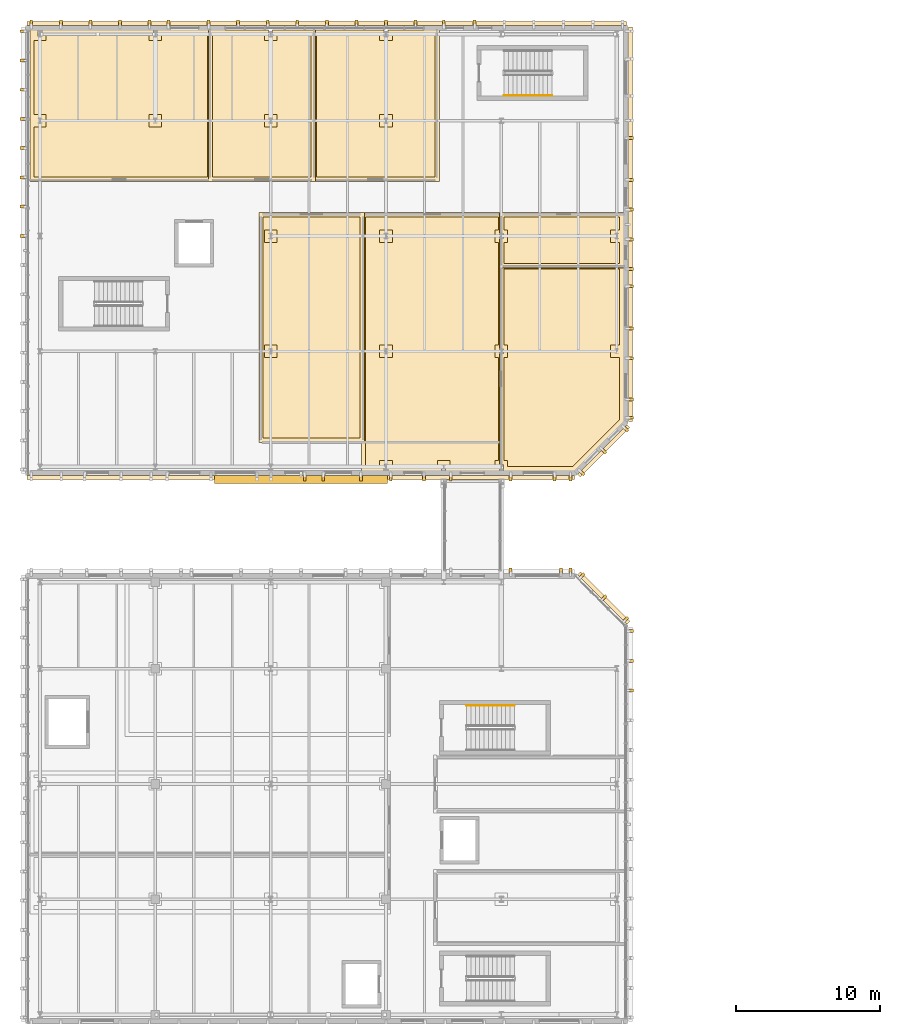
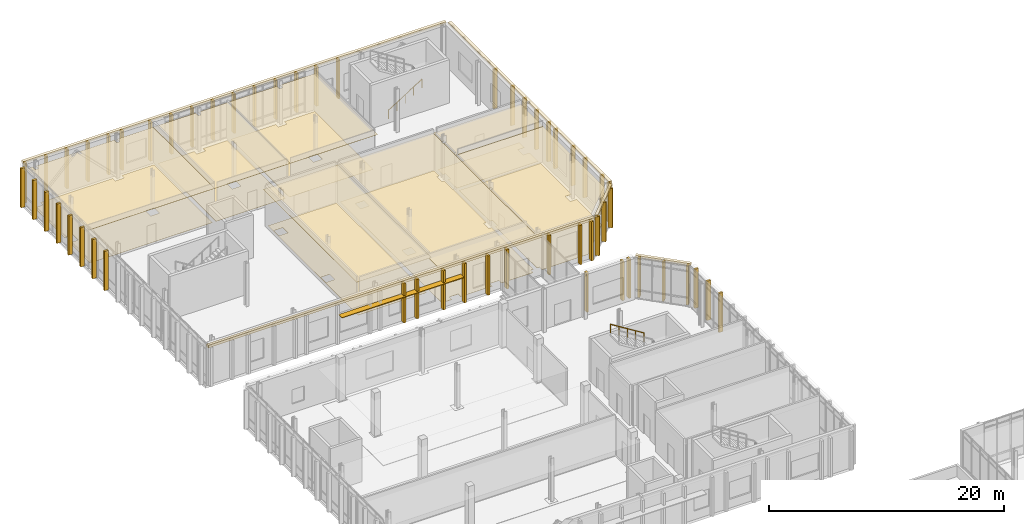
# One storey, part 81 of 86: 74 coverings, 2 railings, 1 shading device.
"""IFC4 building model written with IfcOpenShell, lengths in metres."""

from ifc_helpers import new_model, si_unit, direction, frame, origin, origin_2d, place, context, subcontext, project, spatial, polyline, rectangle, circle, outline, extrude, material, layer, layer_set, type_object, element, save


model = new_model("IFC4")

# Units and contexts
model_context = context("Model", 3, precision=1e-05, world=origin(), true_north=direction((0.0, 1.0)))
body_context = subcontext(model_context, "Body", "Model", "MODEL_VIEW")
ifc_project = project(units=[si_unit("LENGTHUNIT", "METRE"), si_unit("AREAUNIT", "SQUARE_METRE"), si_unit("VOLUMEUNIT", "CUBIC_METRE"), si_unit("PLANEANGLEUNIT", "RADIAN"), si_unit("MASSUNIT", "GRAM", prefix="KILO")], contexts=[model_context])

# Site, building, storey
site_placement = place(None, origin())
site = spatial("IfcSite", under=ifc_project, at=site_placement, CompositionType="ELEMENT")
building_placement = place(site_placement, origin())
building = spatial("IfcBuilding", under=site, at=building_placement, Name="Cymarion Research Institute", CompositionType="ELEMENT")
storey_placement = place(building_placement, frame((0.0, 0.0, 13.800048828125)))
storey = spatial("IfcBuildingStorey", under=building, at=storey_placement, Name="L03", CompositionType="ELEMENT", Elevation=13.800048828125)

# Coverings
ifc_material_1 = material(Name="Micro-perforated mineral acoustic ceiling tile", Category="gypsum")
ifc_layer_1 = layer(ifc_material_1, 0.030029296875)
ifc_layer_set_1 = layer_set([ifc_layer_1], Name="Micro-perforated mineral acoustic ceiling tile")
covering_type_1 = type_object("IfcCoveringType", Name="ACOUSTIC MICRO-PERFORATED SUSPENDED CEILING CLG-01", PredefinedType="CEILING", material=ifc_layer_set_1)
covering_1_placement = place(storey_placement, frame((0.0, 0.0, 3.699951171875)))
element("IfcCovering", 1, at=covering_1_placement, inside=storey, type_object=covering_type_1, Name="L03 L03 Climate & Earth-System Dry Modelling Laboratory acoustic ceiling", PredefinedType="CEILING", context=body_context, shape_type="SweptSolid", body=[
    extrude(outline(polyline([(29.114990234375, 103.114990234375), (29.114990234375, 87.18505859375), (21.784912109375, 87.18505859375), (21.784912109375, 103.114990234375), (29.114990234375, 103.114990234375)])), origin(), (0.0, 0.0, 1.0), 0.030029296875),
])
covering_2_placement = place(storey_placement, frame((0.0, 0.0, 3.699951171875)))
element("IfcCovering", 2, at=covering_2_placement, inside=storey, type_object=covering_type_1, Name="L03 L03 High-Performance Computing & Cryo-Data Room acoustic ceiling", PredefinedType="CEILING", context=body_context, shape_type="SweptSolid", body=[
    extrude(outline(polyline([(38.715087890625, 101.635009765625), (38.465087890625, 101.635009765625), (38.465087890625, 101.364990234375), (38.715087890625, 101.364990234375), (38.715087890625, 93.635009765625), (38.465087890625, 93.635009765625), (38.465087890625, 93.364990234375), (38.715087890625, 93.364990234375), (38.715087890625, 85.635009765625), (38.465087890625, 85.635009765625), (38.465087890625, 85.205078125), (34.735107421875, 85.205078125), (34.735107421875, 85.635009765625), (34.465087890625, 85.635009765625), (34.465087890625, 85.205078125), (30.735107421875, 85.205078125), (30.735107421875, 85.635009765625), (30.465087890625, 85.635009765625), (30.465087890625, 85.205078125), (28.885009765625, 85.205078125), (28.885009765625, 103.114990234375), (38.715087890625, 103.114990234375), (38.715087890625, 101.635009765625)])), origin(), (0.0, 0.0, 1.0), 0.030029296875),
])
covering_3_placement = place(storey_placement, frame((0.0, 0.0, 3.699951171875)))
element("IfcCovering", 3, at=covering_3_placement, inside=storey, type_object=covering_type_1, Name="L03 L03 Cryo-Data Cold Tape & UPS Equipment Room acoustic ceiling", PredefinedType="CEILING", context=body_context, shape_type="SweptSolid", body=[
    extrude(outline(polyline([(47.094970703125, 88.626220703125), (43.673583984375, 85.205078125), (38.735107421875, 85.205078125), (38.735107421875, 85.635009765625), (38.485107421875, 85.635009765625), (38.485107421875, 93.364990234375), (38.735107421875, 93.364990234375), (38.735107421875, 93.635009765625), (38.485107421875, 93.635009765625), (38.485107421875, 99.514892578125), (47.094970703125, 99.514892578125), (47.094970703125, 88.626220703125)])), origin(), (0.0, 0.0, 1.0), 0.030029296875),
])
covering_4_placement = place(storey_placement, frame((0.0, 0.0, 3.699951171875)))
element("IfcCovering", 4, at=covering_4_placement, inside=storey, type_object=covering_type_1, Name="L03 L03 Computational Wing Accessible WC acoustic ceiling", PredefinedType="CEILING", context=body_context, shape_type="SweptSolid", body=[
    extrude(outline(polyline([(38.735107421875, 101.364990234375), (38.735107421875, 101.635009765625), (38.485107421875, 101.635009765625), (38.485107421875, 103.114990234375), (47.094970703125, 103.114990234375), (47.094970703125, 99.284912109375), (38.485107421875, 99.284912109375), (38.485107421875, 101.364990234375), (38.735107421875, 101.364990234375)])), origin(), (0.0, 0.0, 1.0), 0.030029296875),
])
covering_5_placement = place(storey_placement, frame((0.0, 0.0, 3.699951171875)))
element("IfcCovering", 5, at=covering_5_placement, inside=storey, type_object=covering_type_1, Name="L03 L03 Principal Investigator Offices North-West acoustic ceiling", PredefinedType="CEILING", context=body_context, shape_type="SweptSolid", body=[
    extrude(outline(polyline([(5.905029296875, 115.794921875), (6.465087890625, 115.794921875), (6.465087890625, 115.364990234375), (6.735107421875, 115.364990234375), (6.735107421875, 115.794921875), (14.465087890625, 115.794921875), (14.465087890625, 115.364990234375), (14.735107421875, 115.364990234375), (14.735107421875, 115.794921875), (18.514892578125, 115.794921875), (18.514892578125, 105.284912109375), (5.905029296875, 105.284912109375), (5.905029296875, 115.794921875)])), origin(), (0.0, 0.0, 1.0), 0.030029296875),
])
covering_6_placement = place(storey_placement, frame((0.0, 0.0, 3.699951171875)))
element("IfcCovering", 6, at=covering_6_placement, inside=storey, type_object=covering_type_1, Name="L03 L03 Postdoctoral Dry Write-Up & Reading Bay acoustic ceiling", PredefinedType="CEILING", context=body_context, shape_type="SweptSolid", body=[
    extrude(outline(polyline([(18.284912109375, 115.794921875), (22.465087890625, 115.794921875), (22.465087890625, 115.364990234375), (22.735107421875, 115.364990234375), (22.735107421875, 115.794921875), (25.715087890625, 115.794921875), (25.715087890625, 105.284912109375), (18.284912109375, 105.284912109375), (18.284912109375, 115.794921875)])), origin(), (0.0, 0.0, 1.0), 0.030029296875),
])
covering_7_placement = place(storey_placement, frame((0.0, 0.0, 3.699951171875)))
element("IfcCovering", 7, at=covering_7_placement, inside=storey, type_object=covering_type_1, Name="L03 L03 Scientific Visualization & Machine-Learning Dry Lab acoustic ceiling", PredefinedType="CEILING", context=body_context, shape_type="SweptSolid", body=[
    extrude(outline(polyline([(25.485107421875, 115.794921875), (30.465087890625, 115.794921875), (30.465087890625, 115.364990234375), (30.735107421875, 115.364990234375), (30.735107421875, 115.794921875), (34.31494140625, 115.794921875), (34.31494140625, 105.284912109375), (25.485107421875, 105.284912109375), (25.485107421875, 115.794921875)])), origin(), (0.0, 0.0, 1.0), 0.030029296875),
])

# Shading device
ifc_material_2 = material(Name="Anodised aluminium solar louvre jalousie", Category="aluminium")
ifc_layer_2 = layer(ifc_material_2, 0.06005859375)
ifc_layer_set_2 = layer_set([ifc_layer_2], Name="Anodised aluminium solar louvre jalousie")
shading_device_type = type_object("IfcShadingDeviceType", Name="ANODISED ALUMINIUM HORIZONTAL LOUVRE JALOUSIE SHD2 550MM", PredefinedType="JALOUSIE", material=ifc_layer_set_2)
shading_device_placement = place(storey_placement, frame((24.699951171875, 84.623046875, 2.7900390625), z_axis=(0.0, 0.0, 1.0), x_axis=(0.0, -1.0, 0.0)))
element("IfcShadingDevice", 8, at=shading_device_placement, inside=storey, type_object=shading_device_type, Name="L03 V5 south aluminium sunshade SHD2 #8", PredefinedType="JALOUSIE", context=body_context, shape_type="SweptSolid", body=[
    extrude(rectangle(XDim=0.550048828125, YDim=12.0, at=origin_2d()), origin(), (0.0, 0.0, 1.0), 0.06005859375),
])

# Coverings
ifc_material_3 = material(Name="Precast concrete C45/55 architectural white", Category="concrete")
ifc_layer_3 = layer(ifc_material_3, 0.260009765625)
ifc_layer_set_3 = layer_set([ifc_layer_3], Name="Precast concrete C45/55 architectural white")
covering_type_2 = type_object("IfcCoveringType", Name="SCULPTURAL WHITE PRECAST CONCRETE SPANDREL BROW BAND RIB2 280MM", PredefinedType="CLADDING", material=ifc_layer_set_3)
covering_8_placement = place(storey_placement, frame((45.700439453125, 76.400390625, 4.08984375), z_axis=(0.0, 0.0, 1.0), x_axis=(0.707106781187, 0.707106781187, 0.0)))
element("IfcCovering", 9, at=covering_8_placement, inside=storey, type_object=covering_type_2, Name="L03 V4 precast spandrel brow band RIB2 #702", PredefinedType="CLADDING", context=body_context, shape_type="SweptSolid", body=[
    extrude(rectangle(XDim=0.280029296875, YDim=4.85107421875, at=origin_2d()), origin(), (0.0, 0.0, 1.0), 0.260009765625),
])
covering_9_placement = place(storey_placement, frame((24.699951171875, 84.758056640625, 4.08984375), z_axis=(0.0, 0.0, 1.0), x_axis=(0.0, -1.0, 0.0)))
element("IfcCovering", 10, at=covering_9_placement, inside=storey, type_object=covering_type_2, Name="L03 V5 precast spandrel brow band RIB2 #742", PredefinedType="CLADDING", context=body_context, shape_type="SweptSolid", body=[
    extrude(rectangle(XDim=0.280029296875, YDim=37.9599609375, at=origin_2d()), origin(), (0.0, 0.0, 1.0), 0.260009765625),
])
covering_10_placement = place(storey_placement, frame((45.700439453125, 86.599609375, 4.08984375), z_axis=(0.0, 0.0, 1.0), x_axis=(0.707106781187, -0.707106781187, 0.0)))
element("IfcCovering", 11, at=covering_10_placement, inside=storey, type_object=covering_type_2, Name="L03 V5 precast spandrel brow band RIB2 #761", PredefinedType="CLADDING", context=body_context, shape_type="SweptSolid", body=[
    extrude(rectangle(XDim=0.280029296875, YDim=4.85107421875, at=origin_2d()), origin(), (0.0, 0.0, 1.0), 0.260009765625),
])
covering_11_placement = place(storey_placement, frame((47.5419921875, 102.300048828125, 4.08984375), z_axis=(0.0, 0.0, 1.0), x_axis=(1.0, 0.0, 0.0)))
element("IfcCovering", 12, at=covering_11_placement, inside=storey, type_object=covering_type_2, Name="L03 V5 precast spandrel brow band RIB2 #765", PredefinedType="CLADDING", context=body_context, shape_type="SweptSolid", body=[
    extrude(rectangle(XDim=0.280029296875, YDim=27.360107421875, at=origin_2d()), origin(), (0.0, 0.0, 1.0), 0.260009765625),
])
covering_12_placement = place(storey_placement, frame((26.5, 116.241943359375, 4.08984375), z_axis=(0.0, 0.0, 1.0), x_axis=(0.0, 1.0, 0.0)))
element("IfcCovering", 13, at=covering_12_placement, inside=storey, type_object=covering_type_2, Name="L03 V5 precast spandrel brow band RIB2 #780", PredefinedType="CLADDING", context=body_context, shape_type="SweptSolid", body=[
    extrude(rectangle(XDim=0.280029296875, YDim=41.56005859375, at=origin_2d()), origin(), (0.0, 0.0, 1.0), 0.260009765625),
])
ifc_layer_4 = layer(ifc_material_3, 0.199951171875)
ifc_layer_set_4 = layer_set([ifc_layer_4], Name="Precast concrete C45/55 architectural white")
covering_type_3 = type_object("IfcCoveringType", Name="SCULPTURAL WHITE PRECAST CONCRETE VERTICAL RIB RIB1 380X200", PredefinedType="CLADDING", material=ifc_layer_set_4)
for number, where, z_axis, x_axis, name in (
    (14, (47.592041015625, 69.976806640625, 0.009765625), (0.0, 0.0, 1.0), (1.0, 0.0, 0.0), "L03 V4 sculptural precast vertical rib RIB1 #699"),
    (15, (47.592041015625, 72.03857421875, 0.009765625), (0.0, 0.0, 1.0), (1.0, 0.0, 0.0), "L03 V4 sculptural precast vertical rib RIB1 #700"),
    (16, (47.592041015625, 74.10009765625, 0.009765625), (0.0, 0.0, 1.0), (1.0, 0.0, 0.0), "L03 V4 sculptural precast vertical rib RIB1 #701"),
    (17, (47.2529296875, 74.918701171875, 0.009765625), (0.0, 0.0, 1.0), (0.707106781187, 0.707106781187, 0.0), "L03 V4 sculptural precast vertical rib RIB1 #703"),
    (18, (45.73583984375, 76.435791015625, 0.009765625), (0.0, 0.0, 1.0), (0.707106781187, 0.707106781187, 0.0), "L03 V4 sculptural precast vertical rib RIB1 #704"),
    (19, (44.218505859375, 77.952880859375, 0.009765625), (0.0, 0.0, 1.0), (0.707106781187, 0.707106781187, 0.0), "L03 V4 sculptural precast vertical rib RIB1 #705"),
    (20, (43.39990234375, 78.2919921875, 0.009765625), (0.0, 0.0, 1.0), (0.0, 1.0, 0.0), "L03 V4 sculptural precast vertical rib RIB1 #707"),
    (21, (42.73828125, 78.2919921875, 0.009765625), (0.0, 0.0, 1.0), (0.0, 1.0, 0.0), "L03 V4 sculptural precast vertical rib RIB1 #708"),
    (22, (39.244384765625, 78.2919921875, 0.009765625), (0.0, 0.0, 1.0), (0.0, 1.0, 0.0), "L03 V4 sculptural precast vertical rib RIB1 #709"),
    (23, (24.969970703125, 84.7080078125, 0.009765625), (0.0, 0.0, 1.0), (0.0, -1.0, 0.0), "L03 V5 sculptural precast vertical rib RIB1 #752"),
    (24, (26.25, 84.7080078125, 0.009765625), (0.0, 0.0, 1.0), (0.0, -1.0, 0.0), "L03 V5 sculptural precast vertical rib RIB1 #753"),
    (25, (28.855712890625, 84.7080078125, 0.009765625), (0.0, 0.0, 1.0), (0.0, -1.0, 0.0), "L03 V5 sculptural precast vertical rib RIB1 #754"),
    (26, (30.933349609375, 84.7080078125, 0.009765625), (0.0, 0.0, 1.0), (0.0, -1.0, 0.0), "L03 V5 sculptural precast vertical rib RIB1 #755"),
    (27, (33.22998046875, 84.7080078125, 0.009765625), (0.0, 0.0, 1.0), (0.0, -1.0, 0.0), "L03 V5 sculptural precast vertical rib RIB1 #756"),
    (28, (35.0888671875, 84.7080078125, 0.009765625), (0.0, 0.0, 1.0), (0.0, -1.0, 0.0), "L03 V5 sculptural precast vertical rib RIB1 #757"),
    (29, (39.244384765625, 84.7080078125, 0.009765625), (0.0, 0.0, 1.0), (0.0, -1.0, 0.0), "L03 V5 sculptural precast vertical rib RIB1 #758"),
    (30, (42.300048828125, 84.7080078125, 0.009765625), (0.0, 0.0, 1.0), (0.0, -1.0, 0.0), "L03 V5 sculptural precast vertical rib RIB1 #759"),
    (31, (43.39990234375, 84.7080078125, 0.009765625), (0.0, 0.0, 1.0), (0.0, -1.0, 0.0), "L03 V5 sculptural precast vertical rib RIB1 #760"),
    (32, (44.218505859375, 85.047119140625, 0.009765625), (0.0, 0.0, 1.0), (0.707106781187, -0.707106781187, 0.0), "L03 V5 sculptural precast vertical rib RIB1 #762"),
    (33, (45.73583984375, 86.564208984375, 0.009765625), (0.0, 0.0, 1.0), (0.707106781187, -0.707106781187, 0.0), "L03 V5 sculptural precast vertical rib RIB1 #763"),
    (34, (47.2529296875, 88.081298828125, 0.009765625), (0.0, 0.0, 1.0), (0.707106781187, -0.707106781187, 0.0), "L03 V5 sculptural precast vertical rib RIB1 #764"),
    (35, (47.592041015625, 88.89990234375, 0.009765625), (0.0, 0.0, 1.0), (1.0, 0.0, 0.0), "L03 V5 sculptural precast vertical rib RIB1 #766"),
    (36, (47.592041015625, 90.161865234375, 0.009765625), (0.0, 0.0, 1.0), (1.0, 0.0, 0.0), "L03 V5 sculptural precast vertical rib RIB1 #767"),
    (37, (47.592041015625, 93.023193359375, 0.009765625), (0.0, 0.0, 1.0), (1.0, 0.0, 0.0), "L03 V5 sculptural precast vertical rib RIB1 #768"),
    (38, (47.592041015625, 95.084716796875, 0.009765625), (0.0, 0.0, 1.0), (1.0, 0.0, 0.0), "L03 V5 sculptural precast vertical rib RIB1 #769"),
    (39, (47.592041015625, 98.019775390625, 0.009765625), (0.0, 0.0, 1.0), (1.0, 0.0, 0.0), "L03 V5 sculptural precast vertical rib RIB1 #770"),
    (40, (47.592041015625, 99.207763671875, 0.009765625), (0.0, 0.0, 1.0), (1.0, 0.0, 0.0), "L03 V5 sculptural precast vertical rib RIB1 #771"),
    (41, (47.592041015625, 101.269287109375, 0.009765625), (0.0, 0.0, 1.0), (1.0, 0.0, 0.0), "L03 V5 sculptural precast vertical rib RIB1 #772"),
    (42, (47.592041015625, 103.330810546875, 0.009765625), (0.0, 0.0, 1.0), (1.0, 0.0, 0.0), "L03 V5 sculptural precast vertical rib RIB1 #773"),
    (43, (47.592041015625, 105.392333984375, 0.009765625), (0.0, 0.0, 1.0), (1.0, 0.0, 0.0), "L03 V5 sculptural precast vertical rib RIB1 #774"),
    (44, (47.592041015625, 108.3046875, 0.009765625), (0.0, 0.0, 1.0), (1.0, 0.0, 0.0), "L03 V5 sculptural precast vertical rib RIB1 #775"),
    (45, (36.75, 116.2919921875, 0.009765625), (0.0, 0.0, 1.0), (0.0, 1.0, 0.0), "L03 V5 sculptural precast vertical rib RIB1 #786"),
    (46, (34.610107421875, 116.2919921875, 0.009765625), (0.0, 0.0, 1.0), (0.0, 1.0, 0.0), "L03 V5 sculptural precast vertical rib RIB1 #787"),
    (47, (32.64990234375, 116.2919921875, 0.009765625), (0.0, 0.0, 1.0), (0.0, 1.0, 0.0), "L03 V5 sculptural precast vertical rib RIB1 #788"),
    (48, (30.60009765625, 116.2919921875, 0.009765625), (0.0, 0.0, 1.0), (0.0, 1.0, 0.0), "L03 V5 sculptural precast vertical rib RIB1 #789"),
    (49, (28.550048828125, 116.2919921875, 0.009765625), (0.0, 0.0, 1.0), (0.0, 1.0, 0.0), "L03 V5 sculptural precast vertical rib RIB1 #790"),
    (50, (26.5, 116.2919921875, 0.009765625), (0.0, 0.0, 1.0), (0.0, 1.0, 0.0), "L03 V5 sculptural precast vertical rib RIB1 #791"),
    (51, (24.449951171875, 116.2919921875, 0.009765625), (0.0, 0.0, 1.0), (0.0, 1.0, 0.0), "L03 V5 sculptural precast vertical rib RIB1 #792"),
    (52, (22.39990234375, 116.2919921875, 0.009765625), (0.0, 0.0, 1.0), (0.0, 1.0, 0.0), "L03 V5 sculptural precast vertical rib RIB1 #793"),
    (53, (20.35009765625, 116.2919921875, 0.009765625), (0.0, 0.0, 1.0), (0.0, 1.0, 0.0), "L03 V5 sculptural precast vertical rib RIB1 #794"),
    (54, (18.300048828125, 116.2919921875, 0.009765625), (0.0, 0.0, 1.0), (0.0, 1.0, 0.0), "L03 V5 sculptural precast vertical rib RIB1 #795"),
    (55, (15.5048828125, 116.2919921875, 0.009765625), (0.0, 0.0, 1.0), (0.0, 1.0, 0.0), "L03 V5 sculptural precast vertical rib RIB1 #796"),
    (56, (14.199951171875, 116.2919921875, 0.009765625), (0.0, 0.0, 1.0), (0.0, 1.0, 0.0), "L03 V5 sculptural precast vertical rib RIB1 #797"),
    (57, (12.14990234375, 116.2919921875, 0.009765625), (0.0, 0.0, 1.0), (0.0, 1.0, 0.0), "L03 V5 sculptural precast vertical rib RIB1 #798"),
    (58, (10.10009765625, 116.2919921875, 0.009765625), (0.0, 0.0, 1.0), (0.0, 1.0, 0.0), "L03 V5 sculptural precast vertical rib RIB1 #799"),
    (59, (8.050048828125, 116.2919921875, 0.009765625), (0.0, 0.0, 1.0), (0.0, 1.0, 0.0), "L03 V5 sculptural precast vertical rib RIB1 #800"),
    (60, (6.0, 116.2919921875, 0.009765625), (0.0, 0.0, 1.0), (0.0, 1.0, 0.0), "L03 V5 sculptural precast vertical rib RIB1 #801"),
    (61, (5.407958984375, 115.699951171875, 0.009765625), (0.0, 0.0, 1.0), (-1.0, 0.0, 0.0), "L03 V5 sculptural precast vertical rib RIB1 #803"),
    (62, (5.407958984375, 113.67333984375, 0.009765625), (0.0, 0.0, 1.0), (-1.0, 0.0, 0.0), "L03 V5 sculptural precast vertical rib RIB1 #804"),
    (63, (5.407958984375, 111.646728515625, 0.009765625), (0.0, 0.0, 1.0), (-1.0, 0.0, 0.0), "L03 V5 sculptural precast vertical rib RIB1 #805"),
    (64, (5.407958984375, 109.6201171875, 0.009765625), (0.0, 0.0, 1.0), (-1.0, 0.0, 0.0), "L03 V5 sculptural precast vertical rib RIB1 #806"),
    (65, (5.407958984375, 107.59326171875, 0.009765625), (0.0, 0.0, 1.0), (-1.0, 0.0, 0.0), "L03 V5 sculptural precast vertical rib RIB1 #807"),
    (66, (5.407958984375, 105.566650390625, 0.009765625), (0.0, 0.0, 1.0), (-1.0, 0.0, 0.0), "L03 V5 sculptural precast vertical rib RIB1 #808"),
    (67, (5.407958984375, 103.5400390625, 0.009765625), (0.0, 0.0, 1.0), (-1.0, 0.0, 0.0), "L03 V5 sculptural precast vertical rib RIB1 #809"),
    (68, (5.407958984375, 101.51318359375, 0.009765625), (0.0, 0.0, 1.0), (-1.0, 0.0, 0.0), "L03 V5 sculptural precast vertical rib RIB1 #810"),
):
    element("IfcCovering", number, at=place(storey_placement, frame(where, z_axis=z_axis, x_axis=x_axis)), inside=storey, type_object=covering_type_3, Name=name, PredefinedType="CLADDING", context=body_context, shape_type="SweptSolid", body=[
        extrude(rectangle(XDim=0.3798828125, YDim=0.199951171875, at=origin_2d()), origin(), (0.0, 0.0, 1.0), 4.074951171875),
    ])
ifc_material_4 = material(Name="Seamless dissipative epoxy resin flooring", Category="resin")
ifc_layer_5 = layer(ifc_material_4, 0.02001953125)
ifc_layer_set_5 = layer_set([ifc_layer_5], Name="Seamless dissipative epoxy resin flooring")
covering_type_4 = type_object("IfcCoveringType", Name="SEAMLESS ESD EPOXY LABORATORY FLOORING FLR-01", PredefinedType="FLOORING", material=ifc_layer_set_5)
covering_13_placement = place(storey_placement, origin())
element("IfcCovering", 69, at=covering_13_placement, inside=storey, type_object=covering_type_4, Name="L03 L03 Climate & Earth-System Dry Modelling Laboratory ESD epoxy flooring", PredefinedType="FLOORING", context=body_context, shape_type="SweptSolid", body=[
    extrude(outline(polyline([(22.0849609375, 102.81494140625), (28.81494140625, 102.81494140625), (28.81494140625, 87.485107421875), (22.0849609375, 87.485107421875), (22.0849609375, 102.81494140625)]), holes=[polyline([(23.034912109375, 93.93505859375), (22.1650390625, 93.93505859375), (22.1650390625, 93.06494140625), (23.034912109375, 93.06494140625), (23.034912109375, 93.93505859375)]), polyline([(23.034912109375, 101.93505859375), (22.1650390625, 101.93505859375), (22.1650390625, 101.06494140625), (23.034912109375, 101.06494140625), (23.034912109375, 101.93505859375)])]), origin(), (0.0, 0.0, 1.0), 0.02001953125),
])
covering_14_placement = place(storey_placement, origin())
element("IfcCovering", 70, at=covering_14_placement, inside=storey, type_object=covering_type_4, Name="L03 L03 High-Performance Computing & Cryo-Data Room ESD epoxy flooring", PredefinedType="FLOORING", context=body_context, shape_type="SweptSolid", body=[
    extrude(outline(polyline([(38.4150390625, 102.81494140625), (38.4150390625, 101.93505859375), (38.1650390625, 101.93505859375), (38.1650390625, 101.06494140625), (38.4150390625, 101.06494140625), (38.4150390625, 93.93505859375), (38.1650390625, 93.93505859375), (38.1650390625, 93.06494140625), (38.4150390625, 93.06494140625), (38.4150390625, 85.93505859375), (38.1650390625, 85.93505859375), (38.1650390625, 85.5048828125), (35.034912109375, 85.5048828125), (35.034912109375, 85.93505859375), (34.1650390625, 85.93505859375), (34.1650390625, 85.5048828125), (31.034912109375, 85.5048828125), (31.034912109375, 85.93505859375), (30.1650390625, 85.93505859375), (30.1650390625, 85.5048828125), (29.18505859375, 85.5048828125), (29.18505859375, 102.81494140625), (38.4150390625, 102.81494140625)]), holes=[polyline([(31.034912109375, 93.93505859375), (30.1650390625, 93.93505859375), (30.1650390625, 93.06494140625), (31.034912109375, 93.06494140625), (31.034912109375, 93.93505859375)]), polyline([(31.034912109375, 101.93505859375), (30.1650390625, 101.93505859375), (30.1650390625, 101.06494140625), (31.034912109375, 101.06494140625), (31.034912109375, 101.93505859375)])]), origin(), (0.0, 0.0, 1.0), 0.02001953125),
])
covering_15_placement = place(storey_placement, origin())
element("IfcCovering", 71, at=covering_15_placement, inside=storey, type_object=covering_type_4, Name="L03 L03 Cryo-Data Cold Tape & UPS Equipment Room ESD epoxy flooring", PredefinedType="FLOORING", context=body_context, shape_type="SweptSolid", body=[
    extrude(outline(polyline([(46.794921875, 93.06494140625), (46.794921875, 88.75048828125), (43.54931640625, 85.5048828125), (39.034912109375, 85.5048828125), (39.034912109375, 85.93505859375), (38.784912109375, 85.93505859375), (38.784912109375, 93.06494140625), (39.034912109375, 93.06494140625), (39.034912109375, 93.93505859375), (38.784912109375, 93.93505859375), (38.784912109375, 99.215087890625), (46.794921875, 99.215087890625), (46.794921875, 93.93505859375), (46.1650390625, 93.93505859375), (46.1650390625, 93.06494140625), (46.794921875, 93.06494140625)])), origin(), (0.0, 0.0, 1.0), 0.02001953125),
])
covering_16_placement = place(storey_placement, origin())
element("IfcCovering", 72, at=covering_16_placement, inside=storey, type_object=covering_type_4, Name="L03 L03 Computational Wing Accessible WC ESD epoxy flooring", PredefinedType="FLOORING", context=body_context, shape_type="SweptSolid", body=[
    extrude(outline(polyline([(38.784912109375, 101.06494140625), (39.034912109375, 101.06494140625), (39.034912109375, 101.93505859375), (38.784912109375, 101.93505859375), (38.784912109375, 102.81494140625), (46.794921875, 102.81494140625), (46.794921875, 101.93505859375), (46.1650390625, 101.93505859375), (46.1650390625, 101.06494140625), (46.794921875, 101.06494140625), (46.794921875, 99.5849609375), (38.784912109375, 99.5849609375), (38.784912109375, 101.06494140625)])), origin(), (0.0, 0.0, 1.0), 0.02001953125),
])
covering_17_placement = place(storey_placement, origin())
element("IfcCovering", 73, at=covering_17_placement, inside=storey, type_object=covering_type_4, Name="L03 L03 Principal Investigator Offices North-West ESD epoxy flooring", PredefinedType="FLOORING", context=body_context, shape_type="SweptSolid", body=[
    extrude(outline(polyline([(6.205078125, 105.5849609375), (6.205078125, 109.06494140625), (7.034912109375, 109.06494140625), (7.034912109375, 109.93505859375), (6.205078125, 109.93505859375), (6.205078125, 115.06494140625), (7.034912109375, 115.06494140625), (7.034912109375, 115.4951171875), (14.1650390625, 115.4951171875), (14.1650390625, 115.06494140625), (15.034912109375, 115.06494140625), (15.034912109375, 115.4951171875), (18.215087890625, 115.4951171875), (18.215087890625, 105.5849609375), (6.205078125, 105.5849609375)]), holes=[polyline([(14.1650390625, 109.93505859375), (14.1650390625, 109.06494140625), (15.034912109375, 109.06494140625), (15.034912109375, 109.93505859375), (14.1650390625, 109.93505859375)])]), origin(), (0.0, 0.0, 1.0), 0.02001953125),
])
covering_18_placement = place(storey_placement, origin())
element("IfcCovering", 74, at=covering_18_placement, inside=storey, type_object=covering_type_4, Name="L03 L03 Postdoctoral Dry Write-Up & Reading Bay ESD epoxy flooring", PredefinedType="FLOORING", context=body_context, shape_type="SweptSolid", body=[
    extrude(outline(polyline([(18.5849609375, 105.5849609375), (18.5849609375, 115.4951171875), (22.1650390625, 115.4951171875), (22.1650390625, 115.06494140625), (23.034912109375, 115.06494140625), (23.034912109375, 115.4951171875), (25.4150390625, 115.4951171875), (25.4150390625, 105.5849609375), (18.5849609375, 105.5849609375)]), holes=[polyline([(23.034912109375, 109.93505859375), (22.1650390625, 109.93505859375), (22.1650390625, 109.06494140625), (23.034912109375, 109.06494140625), (23.034912109375, 109.93505859375)])]), origin(), (0.0, 0.0, 1.0), 0.02001953125),
])
covering_19_placement = place(storey_placement, origin())
element("IfcCovering", 75, at=covering_19_placement, inside=storey, type_object=covering_type_4, Name="L03 L03 Scientific Visualization & Machine-Learning Dry Lab ESD epoxy flooring", PredefinedType="FLOORING", context=body_context, shape_type="SweptSolid", body=[
    extrude(outline(polyline([(25.784912109375, 105.5849609375), (25.784912109375, 115.4951171875), (30.1650390625, 115.4951171875), (30.1650390625, 115.06494140625), (31.034912109375, 115.06494140625), (31.034912109375, 115.4951171875), (34.014892578125, 115.4951171875), (34.014892578125, 105.5849609375), (25.784912109375, 105.5849609375)]), holes=[polyline([(30.1650390625, 109.93505859375), (30.1650390625, 109.06494140625), (31.034912109375, 109.06494140625), (31.034912109375, 109.93505859375), (30.1650390625, 109.93505859375)])]), origin(), (0.0, 0.0, 1.0), 0.02001953125),
])

# Railings
ifc_material_5 = material(Name="Steel S355", Category="steel")
railing_type = type_object("IfcRailingType", Name="STAINLESS STEEL STAIR HANDRAIL HR1 900MM", PredefinedType="HANDRAIL", material=ifc_material_5)
railing_1_placement = place(storey_placement, frame((39.5, 68.949951171875, 2.4375)))
element("IfcRailing", 76, at=railing_1_placement, inside=storey, type_object=railing_type, Name="L03 ST8 stair handrail 2", PredefinedType="HANDRAIL", context=body_context, shape_type="SweptSolid", body=[
    extrude(circle(Radius=0.02392578125, at=origin_2d()), frame((0.0, 0.0, 0.8759765625), z_axis=(-0.848001828478, 0.0, 0.529993300805), x_axis=(0.0, -1.0, 0.0)), (0.0, 0.0, 1.0), 3.8916015625),
    extrude(circle(Radius=0.02099609375, at=origin_2d()), origin(), (0.0, 0.0, 1.0), 0.851806640625),
    extrude(circle(Radius=0.02099609375, at=origin_2d()), frame((-0.824951171875, 0.0, 0.515625)), (0.0, 0.0, 1.0), 0.851806640625),
    extrude(circle(Radius=0.02099609375, at=origin_2d()), frame((-1.64990234375, 0.0, 1.03125)), (0.0, 0.0, 1.0), 0.851806640625),
    extrude(circle(Radius=0.02099609375, at=origin_2d()), frame((-2.47509765625, 0.0, 1.546875)), (0.0, 0.0, 1.0), 0.851806640625),
    extrude(circle(Radius=0.02099609375, at=origin_2d()), frame((-3.300048828125, 0.0, 2.0625)), (0.0, 0.0, 1.0), 0.851806640625),
])
railing_2_placement = place(storey_placement, frame((38.800048828125, 111.25, 0.1875)))
element("IfcRailing", 77, at=railing_2_placement, inside=storey, type_object=railing_type, Name="L03 ST10 stair handrail 1", PredefinedType="HANDRAIL", context=body_context, shape_type="SweptSolid", body=[
    extrude(circle(Radius=0.02392578125, at=origin_2d()), frame((0.0, 0.0, 0.8759765625), z_axis=(0.848001828478, 0.0, 0.529993300805), x_axis=(0.0, 1.0, 0.0)), (0.0, 0.0, 1.0), 3.8916015625),
    extrude(circle(Radius=0.02099609375, at=origin_2d()), origin(), (0.0, 0.0, 1.0), 0.851806640625),
    extrude(circle(Radius=0.02099609375, at=origin_2d()), frame((0.824951171875, 0.0, 0.515625)), (0.0, 0.0, 1.0), 0.851806640625),
    extrude(circle(Radius=0.02099609375, at=origin_2d()), frame((1.64990234375, 0.0, 1.03125)), (0.0, 0.0, 1.0), 0.851806640625),
    extrude(circle(Radius=0.02099609375, at=origin_2d()), frame((2.47509765625, 0.0, 1.546875)), (0.0, 0.0, 1.0), 0.851806640625),
    extrude(circle(Radius=0.02099609375, at=origin_2d()), frame((3.300048828125, 0.0, 2.0625)), (0.0, 0.0, 1.0), 0.851806640625),
])

save(model, "model.ifc")
